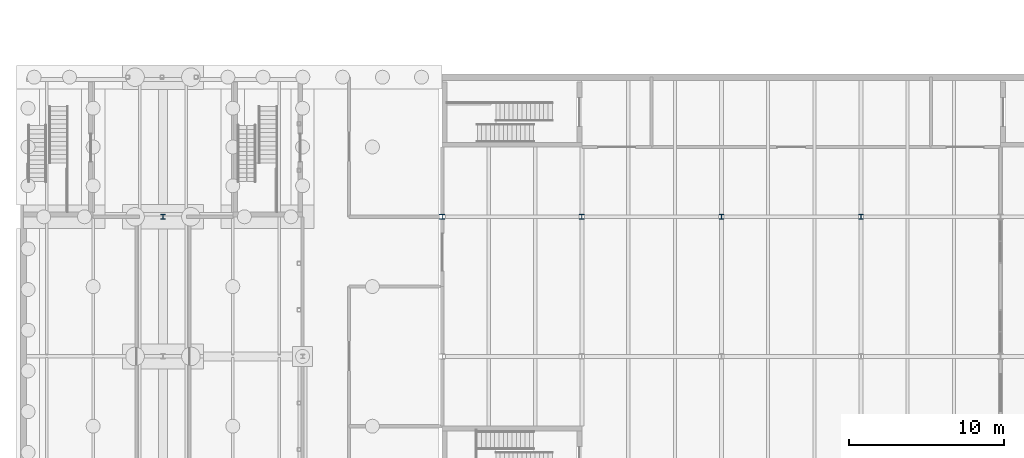
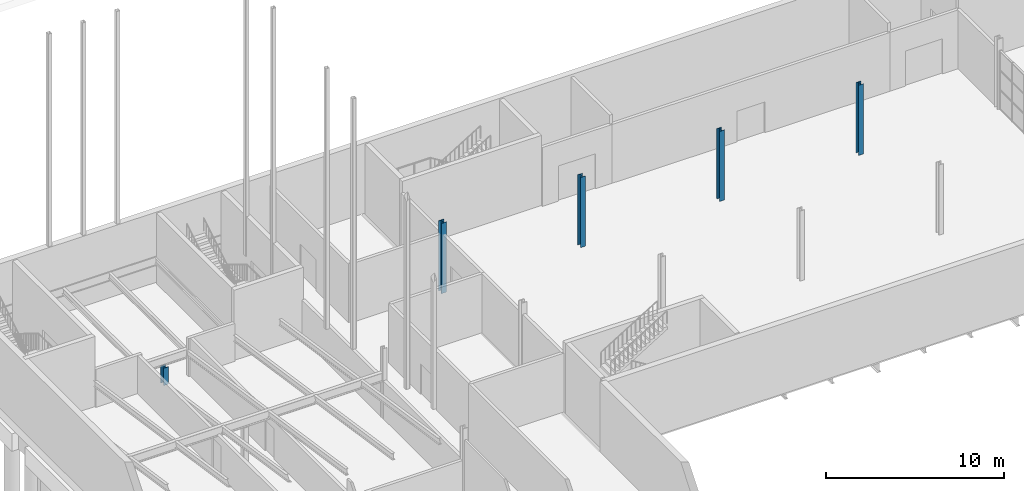
# One storey, part 5 of 31: 5 columns.
"""IFC4 building model written with IfcOpenShell, lengths in metres."""

import ifcopenshell
import ifcopenshell.guid

model = None  # the IFC model being written
_history = None  # IfcOwnerHistory: only IFC2X3 demands one
_inside = {}  # id of a spatial element -> (the spatial element, [elements in it])
_under = {}  # id of a project, library or spatial element -> (it, [spatial elements below it])
_declared = {}  # id of a project -> (the project, [libraries it declares])
_typed = {}  # id of a type object -> (the type object, [elements of that type])
_made_of = {}  # id of a material, layer set ... -> (it, [elements and type objects made of it])


def new_model(schema):
    """Start an empty IFC model of exactly this schema.

    Asked for "IFC4X3", IfcOpenShell would pick the latest addendum, in which some entities
    have other attributes; the version numbers below select the first issue.
    IFC2X3 requires an IfcOwnerHistory on every rooted entity: one is made here for all.
    """
    global model, _history
    if schema == "IFC4X3":
        model = ifcopenshell.file(schema_version=(4, 3, 0, 0))
    else:
        model = ifcopenshell.file(schema=schema)
    _inside.clear()
    _under.clear()
    _declared.clear()
    _typed.clear()
    _made_of.clear()
    _history = None
    if model.schema == "IFC2X3":
        org = make("IfcOrganization", Name="unknown")
        user = make(
            "IfcPersonAndOrganization",
            ThePerson=make("IfcPerson", FamilyName="unknown"),
            TheOrganization=org,
        )
        app = make(
            "IfcApplication",
            ApplicationDeveloper=org,
            Version="unknown",
            ApplicationFullName="unknown",
            ApplicationIdentifier="unknown",
        )
        _history = make(
            "IfcOwnerHistory",
            OwningUser=user,
            OwningApplication=app,
            ChangeAction="ADDED",
            CreationDate=0,
        )
    return model


def make(cls, **values):
    """One entity of the class cls with the attributes given. An attribute that is None is left unset."""
    return model.create_entity(
        cls, **{name: value for name, value in values.items() if value is not None}
    )


def rooted(cls, **values):
    """An entity with a GlobalId (a new one), such as an element, a storey or a relation."""
    return make(cls, GlobalId=ifcopenshell.guid.new(), OwnerHistory=_history, **values)


def si_unit(unit_type, name, prefix=None):
    """IfcSIUnit, for example si_unit("LENGTHUNIT", "METRE", prefix="MILLI")."""
    return make("IfcSIUnit", UnitType=unit_type, Prefix=prefix, Name=name)


def assignment(units):
    """IfcUnitAssignment: the units of a project."""
    return None if units is None else make("IfcUnitAssignment", Units=units)


def point(xyz):
    """IfcCartesianPoint."""
    return None if xyz is None else make("IfcCartesianPoint", Coordinates=xyz)


def direction(xyz):
    """IfcDirection."""
    return None if xyz is None else make("IfcDirection", DirectionRatios=xyz)


def frame(location, z_axis=None, x_axis=None):
    """IfcAxis2Placement3D, a coordinate frame: its origin and axes. An axis left out is left unset."""
    return make(
        "IfcAxis2Placement3D",
        Location=point(location),
        Axis=direction(z_axis),
        RefDirection=direction(x_axis),
    )


def frame_2d(location, x_axis=None):
    """IfcAxis2Placement2D, a coordinate frame in the plane: its origin and x axis."""
    return make(
        "IfcAxis2Placement2D", Location=point(location), RefDirection=direction(x_axis)
    )


def origin():
    """The frame at (0, 0, 0) with its axes left unset."""
    return frame((0.0, 0.0, 0.0))


def origin_2d():
    """The frame at (0, 0) in the plane with its x axis left unset."""
    return frame_2d((0.0, 0.0))


def place(relative_to, where):
    """IfcLocalPlacement: puts the frame where relative to a parent placement (None: the world)."""
    return make(
        "IfcLocalPlacement", PlacementRelTo=relative_to, RelativePlacement=where
    )


def context(
    kind, dimensions, precision=None, world=None, true_north=None, identifier=None
):
    """IfcGeometricRepresentationContext, for example the 3D "Model" context."""
    return make(
        "IfcGeometricRepresentationContext",
        ContextIdentifier=identifier,
        ContextType=kind,
        CoordinateSpaceDimension=dimensions,
        Precision=precision,
        WorldCoordinateSystem=world,
        TrueNorth=true_north,
    )


def subcontext(parent, identifier, kind, view, scale=None):
    """IfcGeometricRepresentationSubContext, for example "Body" below "Model"."""
    return make(
        "IfcGeometricRepresentationSubContext",
        ContextIdentifier=identifier,
        ContextType=kind,
        ParentContext=parent,
        TargetScale=scale,
        TargetView=view,
    )


def project(units=None, contexts=None):
    """IfcProject with its units and contexts."""
    return rooted(
        "IfcProject",
        Name="project",
        RepresentationContexts=contexts,
        UnitsInContext=assignment(units),
    )


def spatial(cls, under=None, at=None, **own):
    """A site, building, storey or space (cls), placed at a placement, below another one or the project."""
    s = rooted(cls, ObjectPlacement=at, **own)
    if under is not None:
        _under.setdefault(under.id(), (under, []))[1].append(s)
    return s


def profile(cls, at=None, kind="AREA", **sizes):
    """A parametric profile (cls). Its sizes go by their IFC names, for example OverallWidth=200.0."""
    return make(cls, ProfileType=kind, Position=at, **sizes)


def i_section(**sizes):
    """IfcIShapeProfileDef."""
    return profile("IfcIShapeProfileDef", **sizes)


def extrude(swept, where, along, depth):
    """IfcExtrudedAreaSolid: the profile swept, set in the frame where, extruded along a direction by depth."""
    return make(
        "IfcExtrudedAreaSolid",
        SweptArea=swept,
        Position=where,
        ExtrudedDirection=direction(along),
        Depth=depth,
    )


def shape(context_of_items, identifier, shape_type, items):
    """IfcShapeRepresentation: the items that make up one representation, for example the "Body"."""
    return make(
        "IfcShapeRepresentation",
        ContextOfItems=context_of_items,
        RepresentationIdentifier=identifier,
        RepresentationType=shape_type,
        Items=items,
    )


def material(Name=None, Category=None):
    """IfcMaterial."""
    return make("IfcMaterial", Name=Name, Category=Category)


def material_profile(
    of_material, cross_section, Name=None, Category=None, Priority=None
):
    """IfcMaterialProfile: a cross section and its material."""
    return make(
        "IfcMaterialProfile",
        Name=Name,
        Material=of_material,
        Profile=cross_section,
        Priority=Priority,
        Category=Category,
    )


def profile_set(profiles, Name=None, composite=None):
    """IfcMaterialProfileSet."""
    return make(
        "IfcMaterialProfileSet",
        Name=Name,
        MaterialProfiles=profiles,
        CompositeProfile=composite,
    )


def made_of(thing, what):
    """Note that an element or type object is made of a material, layer set ...; save() writes the relation."""
    if what is not None:
        _made_of.setdefault(what.id(), (what, []))[1].append(thing)
    return thing


def type_object(cls, material=None, **own):
    """A type object (cls), such as IfcWallType, which elements share."""
    return made_of(rooted(cls, **own), material)


def element(
    cls,
    number,
    at=None,
    inside=None,
    cuts=None,
    type_object=None,
    material=None,
    context=None,
    identifier="Body",
    shape_type=None,
    held_by="IfcProductDefinitionShape",
    body=None,
    shapes=None,
    **own,
):
    """One element of the class cls, such as IfcWall. Its Tag is "e" and its number.

    at: its placement. inside: the storey or other place that contains it. cuts: it is an
    opening in that element (IfcRelVoidsElement). A single representation is given by context,
    identifier, shape_type and body (its items); several are given by shapes. held_by: the class
    of the entity that holds the representations. save() writes the other relations.
    """
    e = rooted(cls, Tag="e%d" % number, ObjectPlacement=at, **own)
    if body is not None:
        shapes = [shape(context, identifier, shape_type, body)]
    if shapes is not None:
        e.Representation = make(held_by, Representations=shapes)
    if inside is not None:
        _inside.setdefault(inside.id(), (inside, []))[1].append(e)
    if cuts is not None:
        rooted(
            "IfcRelVoidsElement", RelatingBuildingElement=cuts, RelatedOpeningElement=e
        )
    if type_object is not None:
        _typed.setdefault(type_object.id(), (type_object, []))[1].append(e)
    return made_of(e, material)


def aggregate(whole, parts):
    """IfcRelAggregates: a whole, such as a stair, and the parts it consists of."""
    return rooted("IfcRelAggregates", RelatingObject=whole, RelatedObjects=parts)


def save(model, path):
    """Write the relations noted so far, then the file.

    IfcRelAggregates (storeys below a building ...), IfcRelContainedInSpatialStructure (elements
    in a storey), IfcRelDefinesByType, IfcRelAssociatesMaterial and IfcRelDeclares: one each for
    every whole, place, type object, material and project.
    """
    for whole, parts in _under.values():
        aggregate(whole, parts)
    for where, things in _inside.values():
        rooted(
            "IfcRelContainedInSpatialStructure",
            RelatedElements=things,
            RelatingStructure=where,
        )
    for kind, things in _typed.values():
        rooted("IfcRelDefinesByType", RelatedObjects=things, RelatingType=kind)
    for what, things in _made_of.values():
        rooted("IfcRelAssociatesMaterial", RelatedObjects=things, RelatingMaterial=what)
    for by, libraries in _declared.values():
        rooted("IfcRelDeclares", RelatingContext=by, RelatedDefinitions=libraries)
    model.write(path)


model = new_model("IFC4")

# Units and contexts
model_context = context("Model", 3, precision=1e-05, world=origin(), true_north=direction((0.0, 1.0)))
body_context = subcontext(model_context, "Body", "Model", "MODEL_VIEW")
ifc_project = project(units=[si_unit("LENGTHUNIT", "METRE"), si_unit("AREAUNIT", "SQUARE_METRE"), si_unit("VOLUMEUNIT", "CUBIC_METRE"), si_unit("PLANEANGLEUNIT", "RADIAN"), si_unit("MASSUNIT", "GRAM", prefix="KILO")], contexts=[model_context])

# Site, building, storey
site_placement = place(None, origin())
site = spatial("IfcSite", under=ifc_project, at=site_placement, CompositionType="ELEMENT")
building_placement = place(site_placement, origin())
building = spatial("IfcBuilding", under=site, at=building_placement, Name="Halyard Row Museum", CompositionType="ELEMENT")
storey_placement = place(building_placement, frame((0.0, 0.0, -4.800048828125)))
storey = spatial("IfcBuildingStorey", under=building, at=storey_placement, Name="B1", CompositionType="ELEMENT", Elevation=-4.800048828125)

# Columns
ifc_material_1 = material(Name="Steel Grade 300", Category="steel")
ifc_material_profile_1 = material_profile(ifc_material_1, i_section(OverallWidth=0.30908203125, OverallDepth=0.320556640625, WebThickness=0.013916015625, FlangeThickness=0.021728515625, FilletRadius=0.0166015625, at=origin_2d()), Name="310UC137")
ifc_profile_set_1 = profile_set([ifc_material_profile_1], Name="Steel Grade 300")
column_type_1 = type_object("IfcColumnType", Name="Column 310UC137 interior", PredefinedType="COLUMN", material=ifc_profile_set_1)
column_1_placement = place(storey_placement, frame((54.0, 36.0, 0.0), z_axis=(0.0, 0.0, 1.0), x_axis=(1.0, 0.0, 0.0)))
element("IfcColumn", 1, at=column_1_placement, inside=storey, type_object=column_type_1, Name="Column 7E B1", PredefinedType="COLUMN", context=body_context, shape_type="SweptSolid", body=[
    extrude(i_section(OverallWidth=0.30908203125, OverallDepth=0.320556640625, WebThickness=0.013916015625, FlangeThickness=0.021728515625, FilletRadius=0.0166015625, at=origin_2d()), origin(), (0.0, 0.0, 1.0), 4.800048828125),
])
ifc_material_2 = material(Name="Steel Grade 300", Category="steel")
ifc_material_profile_2 = material_profile(ifc_material_2, i_section(OverallWidth=0.31103515625, OverallDepth=0.3271484375, WebThickness=0.015625, FlangeThickness=0.02490234375, FilletRadius=0.0166015625, at=origin_2d()), Name="310UC158")
ifc_profile_set_2 = profile_set([ifc_material_profile_2], Name="Steel Grade 300")
column_type_2 = type_object("IfcColumnType", Name="Column 310UC158 interior", PredefinedType="COLUMN", material=ifc_profile_set_2)
for number, where, z_axis, x_axis, name in (
    (2, (36.0, 36.0, 0.0), (0.0, 0.0, 1.0), (1.0, 0.0, 0.0), "Column 5E B1"),
    (3, (45.0, 36.0, 0.0), (0.0, 0.0, 1.0), (1.0, 0.0, 0.0), "Column 6E B1"),
):
    element("IfcColumn", number, at=place(storey_placement, frame(where, z_axis=z_axis, x_axis=x_axis)), inside=storey, type_object=column_type_2, Name=name, PredefinedType="COLUMN", context=body_context, shape_type="SweptSolid", body=[
        extrude(i_section(OverallWidth=0.31103515625, OverallDepth=0.3271484375, WebThickness=0.015625, FlangeThickness=0.02490234375, FilletRadius=0.0166015625, at=origin_2d()), origin(), (0.0, 0.0, 1.0), 4.800048828125),
    ])
ifc_material_3 = material(Name="Steel Grade 300", Category="steel")
ifc_material_profile_3 = material_profile(ifc_material_3, i_section(OverallWidth=0.35009765625, OverallDepth=0.339111328125, WebThickness=0.02490234375, FlangeThickness=0.031982421875, at=origin_2d()), Name="350WC230")
ifc_profile_set_3 = profile_set([ifc_material_profile_3], Name="Steel Grade 300")
column_type_3 = type_object("IfcColumnType", Name="Column 350WC230 interior", PredefinedType="COLUMN", material=ifc_profile_set_3)
column_2_placement = place(storey_placement, frame((27.0, 36.0, 0.0), z_axis=(0.0, 0.0, 1.0), x_axis=(1.0, 0.0, 0.0)))
element("IfcColumn", 4, at=column_2_placement, inside=storey, type_object=column_type_3, Name="Column 4E B1", PredefinedType="COLUMN", context=body_context, shape_type="SweptSolid", body=[
    extrude(i_section(OverallWidth=0.35009765625, OverallDepth=0.339111328125, WebThickness=0.02490234375, FlangeThickness=0.031982421875, at=origin_2d()), origin(), (0.0, 0.0, 1.0), 4.800048828125),
])
ifc_material_4 = material(Name="Steel Grade 300", Category="steel")
ifc_material_profile_4 = material_profile(ifc_material_4, i_section(OverallWidth=0.31103515625, OverallDepth=0.3271484375, WebThickness=0.015625, FlangeThickness=0.02490234375, FilletRadius=0.0166015625, at=origin_2d()), Name="310UC158")
ifc_profile_set_4 = profile_set([ifc_material_profile_4], Name="Steel Grade 300")
column_type_4 = type_object("IfcColumnType", Name="Rake column 310UC158 grid E", PredefinedType="COLUMN", material=ifc_profile_set_4)
column_3_placement = place(storey_placement, frame((9.0, 36.0, 0.0), z_axis=(0.0, 0.0, 1.0), x_axis=(1.0, 0.0, 0.0)))
element("IfcColumn", 5, at=column_3_placement, inside=storey, type_object=column_type_4, Name="Rake column at y 36", PredefinedType="COLUMN", context=body_context, shape_type="SweptSolid", body=[
    extrude(i_section(OverallWidth=0.31103515625, OverallDepth=0.3271484375, WebThickness=0.015625, FlangeThickness=0.02490234375, FilletRadius=0.0166015625, at=origin_2d()), origin(), (0.0, 0.0, 1.0), 1.189697265625),
])

save(model, "model.ifc")
